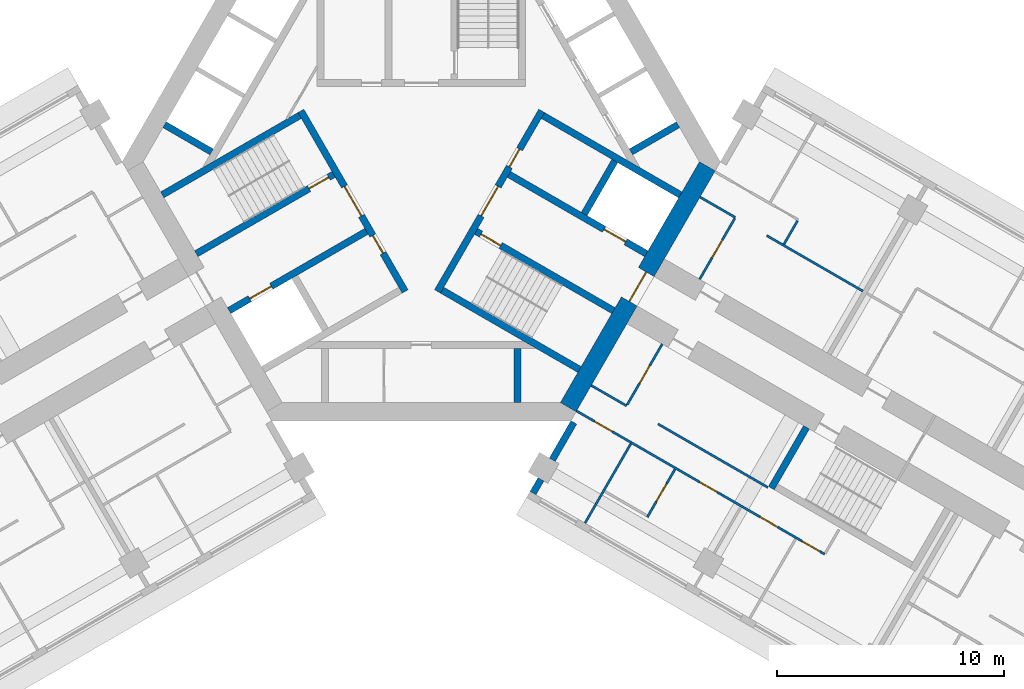
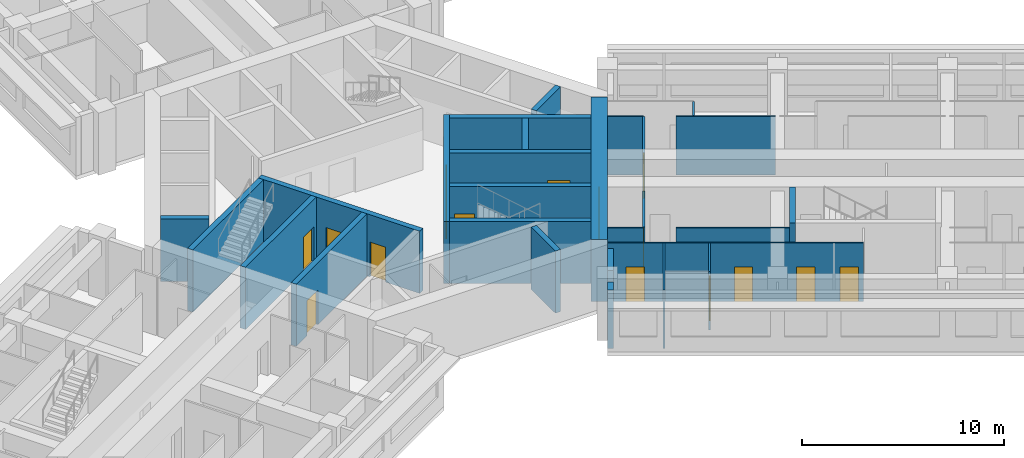
# One storey, part 7 of 14: 27 walls, 16 doors, 16 openings.
"""IFC4 building model written with IfcOpenShell, lengths in metres."""

from ifc_helpers import new_model, si_unit, direction, frame, frame_2d, origin, place, context, subcontext, project, spatial, rectangle, extrude, material, layer, layer_set, type_object, element, fill, save


model = new_model("IFC4")

# Units and contexts
model_context = context("Model", 3, precision=1e-05, world=origin(), true_north=direction((0.0, 1.0)))
body_context = subcontext(model_context, "Body", "Model", "MODEL_VIEW")
ifc_project = project(units=[si_unit("LENGTHUNIT", "METRE"), si_unit("AREAUNIT", "SQUARE_METRE"), si_unit("VOLUMEUNIT", "CUBIC_METRE"), si_unit("PLANEANGLEUNIT", "RADIAN"), si_unit("MASSUNIT", "GRAM", prefix="KILO")], contexts=[model_context])

# Site, building, storey
site_placement = place(None, origin())
site = spatial("IfcSite", under=ifc_project, at=site_placement, CompositionType="ELEMENT")
building_placement = place(site_placement, origin())
building = spatial("IfcBuilding", under=site, at=building_placement, Name="Impinga Residences", CompositionType="ELEMENT")
storey_placement = place(building_placement, frame((0.0, 0.0, 124.75)))
storey = spatial("IfcBuildingStorey", under=building, at=storey_placement, Name="L30", CompositionType="ELEMENT", Elevation=124.75)

# Walls
ifc_material_1 = material(Name="Terracotta rainscreen on blockwork", Category="masonry")
ifc_layer_1 = layer(ifc_material_1, 0.300048828125)
ifc_layer_set_1 = layer_set([ifc_layer_1], Name="EW1 external wall, terracotta rainscreen on blockwork 300")
wall_type_1 = type_object("IfcWallType", Name="EW1 external wall, terracotta rainscreen on blockwork 300", PredefinedType="SOLIDWALL", material=ifc_layer_set_1)
wall_1_placement = place(storey_placement, frame((4.929931640625, -14.624267578125, 0.0), z_axis=(0.0, 0.0, 1.0), x_axis=(0.499853302173, 0.866110083249, 0.0)))
element("IfcWall", 1, at=wall_1_placement, inside=storey, type_object=wall_type_1, Name="External wall EW1 L30", PredefinedType="SOLIDWALL", context=body_context, shape_type="SweptSolid", body=[
    extrude(rectangle(XDim=0.699951171875, YDim=0.300048828125, at=frame_2d((0.35009765625, 0.0))), origin(), (0.0, 0.0, 1.0), 3.530029296875),
])
wall_2_placement = place(storey_placement, frame((5.77978515625, -13.152099609375, 0.0), z_axis=(0.0, 0.0, 1.0), x_axis=(0.500063520245, 0.865988727248, 0.0)))
element("IfcWall", 2, at=wall_2_placement, inside=storey, type_object=wall_type_1, Name="External wall EW1 L30", PredefinedType="SOLIDWALL", context=body_context, shape_type="SweptSolid", body=[
    extrude(rectangle(XDim=1.900146484375, YDim=0.300048828125, at=frame_2d((0.9501953125, 0.0))), origin(), (0.0, 0.0, 1.0), 3.530029296875),
])
ifc_material_2 = material(Name="Gypsum board on steel studs", Category="steel")
ifc_layer_2 = layer(ifc_material_2, 0.10009765625)
ifc_layer_set_2 = layer_set([ifc_layer_2], Name="Gypsum board on steel studs")
wall_type_2 = type_object("IfcWallType", Name="IP1 partition 100", PredefinedType="PARTITIONING", material=ifc_layer_set_2)
wall_3_placement = place(storey_placement, frame((12.300048828125, -1.558837890625, 0.0), z_axis=(0.0, 0.0, 1.0), x_axis=(0.866047807691, -0.499961193289, 0.0)))
element("IfcWall", 3, at=wall_3_placement, inside=storey, type_object=wall_type_2, Name="Partition L30-EA1:DIV0", PredefinedType="PARTITIONING", context=body_context, shape_type="SweptSolid", body=[
    extrude(rectangle(XDim=1.800048828125, YDim=0.10009765625, at=frame_2d((0.89990234375, 0.0))), origin(), (0.0, 0.0, 1.0), 3.530029296875),
])
wall_4_placement = place(storey_placement, frame((15.244384765625, -3.2587890625, 0.0), z_axis=(0.0, 0.0, 1.0), x_axis=(0.866036242063, -0.49998122708, 0.0)))
element("IfcWall", 4, at=wall_4_placement, inside=storey, type_object=wall_type_2, Name="Partition L30-EA1:DIV1", PredefinedType="PARTITIONING", context=body_context, shape_type="SweptSolid", body=[
    extrude(rectangle(XDim=4.900146484375, YDim=0.10009765625, at=frame_2d((2.4501953125, 0.0))), origin(), (0.0, 0.0, 1.0), 3.530029296875),
])
wall_5_placement = place(storey_placement, frame((16.005615234375, -3.640625, 0.0), z_axis=(0.0, 0.0, 1.0), x_axis=(0.500033551112, 0.866006032174, 0.0)))
element("IfcWall", 5, at=wall_5_placement, inside=storey, type_object=wall_type_2, Name="Partition L30-EA1:SE1", PredefinedType="PARTITIONING", context=body_context, shape_type="SweptSolid", body=[
    extrude(rectangle(XDim=1.2001953125, YDim=0.10009765625, at=frame_2d((0.60009765625, 0.0))), origin(), (0.0, 0.0, 1.0), 3.530029296875),
])

# Wall, opening, door
wall_6_placement = place(storey_placement, frame((12.283935546875, -5.186767578125, 0.0), z_axis=(0.0, 0.0, 1.0), x_axis=(0.499967891604, 0.866043940782, 0.0)))
wall_6 = element("IfcWall", 6, at=wall_6_placement, inside=storey, type_object=wall_type_2, Name="Partition L30-EA1:IB1", PredefinedType="PARTITIONING", context=body_context, shape_type="SweptSolid", body=[
    extrude(rectangle(XDim=3.099853515625, YDim=0.10009765625, at=frame_2d((1.5498046875, 0.0))), origin(), (0.0, 0.0, 1.0), 3.530029296875),
])
opening_1_placement = place(wall_6_placement, frame((1.10009765625, 0.0, 0.0)))
opening_1 = element("IfcOpeningElement", 7, at=opening_1_placement, cuts=wall_6, Name="Opening D2", PredefinedType="OPENING", context=body_context, shape_type="SweptSolid", body=[
    extrude(rectangle(XDim=0.89990234375, YDim=2.10009765625, at=frame_2d((0.449951171875, 1.050048828125))), frame((0.0, 0.06005859375, 0.0), z_axis=(0.0, -1.0, 0.0), x_axis=(1.0, 0.0, 0.0)), (0.0, 0.0, 1.0), 0.1201171875),
])
ifc_material_3 = material(Name="Timber door set", Category="wood")
door_type_1 = type_object("IfcDoorType", Name="D2 internal door 900x2100", OperationType="SINGLE_SWING_LEFT", PredefinedType="DOOR", material=ifc_material_3)
door_1_placement = place(opening_1_placement, origin())
door_1 = element("IfcDoor", 8, at=door_1_placement, inside=storey, type_object=door_type_1, Name="Apartment L30-EA1 bathroom door", OperationType="SINGLE_SWING_LEFT", OverallHeight=2.10009765625, OverallWidth=0.89990234375, PredefinedType="DOOR", context=body_context, shape_type="SweptSolid", body=[
    extrude(rectangle(XDim=0.89990234375, YDim=2.10009765625, at=frame_2d((0.449951171875, 1.050048828125))), frame((0.0, 0.02490234375, 0.0), z_axis=(0.0, -1.0, 0.0), x_axis=(1.0, 0.0, 0.0)), (0.0, 0.0, 1.0), 0.050048828125),
])
fill(opening_1, door_1)

# Walls
wall_7_placement = place(storey_placement, frame((7.5, -9.872802734375, 0.0), z_axis=(0.0, 0.0, 1.0), x_axis=(0.866047807691, -0.499961193289, 0.0)))
element("IfcWall", 9, at=wall_7_placement, inside=storey, type_object=wall_type_2, Name="Partition L30-EF1:DIV0", PredefinedType="PARTITIONING", context=body_context, shape_type="SweptSolid", body=[
    extrude(rectangle(XDim=1.800048828125, YDim=0.10009765625, at=frame_2d((0.89990234375, 0.0))), origin(), (0.0, 0.0, 1.0), 3.530029296875),
])
wall_8_placement = place(storey_placement, frame((10.444580078125, -11.57275390625, 0.0), z_axis=(0.0, 0.0, 1.0), x_axis=(0.866015695474, -0.500016814911, 0.0)))
element("IfcWall", 10, at=wall_8_placement, inside=storey, type_object=wall_type_2, Name="Partition L30-EF1:DIV1", PredefinedType="PARTITIONING", context=body_context, shape_type="SweptSolid", body=[
    extrude(rectangle(XDim=5.599853515625, YDim=0.10009765625, at=frame_2d((2.7998046875, 0.0))), origin(), (0.0, 0.0, 1.0), 3.530029296875),
])

# Wall, openings, doors
wall_9_placement = place(storey_placement, frame((6.85009765625, -10.99853515625, 0.0), z_axis=(0.0, 0.0, 1.0), x_axis=(0.866024244478, -0.500002007972, 0.0)))
wall_9 = element("IfcWall", 11, at=wall_9_placement, inside=storey, type_object=wall_type_2, Name="Partition L30-EF1:STRIP", PredefinedType="PARTITIONING", context=body_context, shape_type="SweptSolid", body=[
    extrude(rectangle(XDim=12.64990234375, YDim=0.10009765625, at=frame_2d((6.324951171875, 0.0))), origin(), (0.0, 0.0, 1.0), 3.530029296875),
])
opening_2_placement = place(wall_9_placement, frame((0.925048828125, 0.0, 0.0)))
opening_2 = element("IfcOpeningElement", 12, at=opening_2_placement, cuts=wall_9, Name="Opening D2", PredefinedType="OPENING", context=body_context, shape_type="SweptSolid", body=[
    extrude(rectangle(XDim=0.89990234375, YDim=2.10009765625, at=frame_2d((0.449951171875, 1.050048828125))), frame((0.0, 0.06005859375, 0.0), z_axis=(0.0, -1.0, 0.0), x_axis=(1.0, 0.0, 0.0)), (0.0, 0.0, 1.0), 0.1201171875),
])
opening_3_placement = place(wall_9_placement, frame((6.27490234375, 0.0, 0.0)))
opening_3 = element("IfcOpeningElement", 13, at=opening_3_placement, cuts=wall_9, Name="Opening D2", PredefinedType="OPENING", context=body_context, shape_type="SweptSolid", body=[
    extrude(rectangle(XDim=0.89990234375, YDim=2.10009765625, at=frame_2d((0.449951171875, 1.050048828125))), frame((0.0, 0.06005859375, 0.0), z_axis=(0.0, -1.0, 0.0), x_axis=(1.0, 0.0, 0.0)), (0.0, 0.0, 1.0), 0.1201171875),
])
opening_4_placement = place(wall_9_placement, frame((9.35009765625, 0.0, 0.0)))
opening_4 = element("IfcOpeningElement", 14, at=opening_4_placement, cuts=wall_9, Name="Opening D2", PredefinedType="OPENING", context=body_context, shape_type="SweptSolid", body=[
    extrude(rectangle(XDim=0.89990234375, YDim=2.10009765625, at=frame_2d((0.449951171875, 1.050048828125))), frame((0.0, 0.06005859375, 0.0), z_axis=(0.0, -1.0, 0.0), x_axis=(1.0, 0.0, 0.0)), (0.0, 0.0, 1.0), 0.1201171875),
])
opening_5_placement = place(wall_9_placement, frame((11.5, 0.0, 0.0)))
opening_5 = element("IfcOpeningElement", 15, at=opening_5_placement, cuts=wall_9, Name="Opening D2", PredefinedType="OPENING", context=body_context, shape_type="SweptSolid", body=[
    extrude(rectangle(XDim=0.89990234375, YDim=2.10009765625, at=frame_2d((0.449951171875, 1.050048828125))), frame((0.0, 0.06005859375, 0.0), z_axis=(0.0, -1.0, 0.0), x_axis=(1.0, 0.0, 0.0)), (0.0, 0.0, 1.0), 0.1201171875),
])
door_2_placement = place(opening_2_placement, origin())
door_2 = element("IfcDoor", 16, at=door_2_placement, inside=storey, type_object=door_type_1, Name="Apartment L30-EF1 room door", OperationType="SINGLE_SWING_LEFT", OverallHeight=2.10009765625, OverallWidth=0.89990234375, PredefinedType="DOOR", context=body_context, shape_type="SweptSolid", body=[
    extrude(rectangle(XDim=0.89990234375, YDim=2.10009765625, at=frame_2d((0.449951171875, 1.050048828125))), frame((0.0, 0.02490234375, 0.0), z_axis=(0.0, -1.0, 0.0), x_axis=(1.0, 0.0, 0.0)), (0.0, 0.0, 1.0), 0.050048828125),
])
fill(opening_2, door_2)
door_3_placement = place(opening_3_placement, origin())
door_3 = element("IfcDoor", 17, at=door_3_placement, inside=storey, type_object=door_type_1, Name="Apartment L30-EF1 room door", OperationType="SINGLE_SWING_RIGHT", OverallHeight=2.10009765625, OverallWidth=0.89990234375, PredefinedType="DOOR", context=body_context, shape_type="SweptSolid", body=[
    extrude(rectangle(XDim=0.89990234375, YDim=2.10009765625, at=frame_2d((0.449951171875, 1.050048828125))), frame((0.0, 0.02490234375, 0.0), z_axis=(0.0, -1.0, 0.0), x_axis=(1.0, 0.0, 0.0)), (0.0, 0.0, 1.0), 0.050048828125),
])
fill(opening_3, door_3)
door_4_placement = place(opening_4_placement, origin())
door_4 = element("IfcDoor", 18, at=door_4_placement, inside=storey, type_object=door_type_1, Name="Apartment L30-EF1 room door", OperationType="SINGLE_SWING_RIGHT", OverallHeight=2.10009765625, OverallWidth=0.89990234375, PredefinedType="DOOR", context=body_context, shape_type="SweptSolid", body=[
    extrude(rectangle(XDim=0.89990234375, YDim=2.10009765625, at=frame_2d((0.449951171875, 1.050048828125))), frame((0.0, 0.02490234375, 0.0), z_axis=(0.0, -1.0, 0.0), x_axis=(1.0, 0.0, 0.0)), (0.0, 0.0, 1.0), 0.050048828125),
])
fill(opening_4, door_4)
door_5_placement = place(opening_5_placement, origin())
door_5 = element("IfcDoor", 19, at=door_5_placement, inside=storey, type_object=door_type_1, Name="Apartment L30-EF1 room door", OperationType="SINGLE_SWING_RIGHT", OverallHeight=2.10009765625, OverallWidth=0.89990234375, PredefinedType="DOOR", context=body_context, shape_type="SweptSolid", body=[
    extrude(rectangle(XDim=0.89990234375, YDim=2.10009765625, at=frame_2d((0.449951171875, 1.050048828125))), frame((0.0, 0.02490234375, 0.0), z_axis=(0.0, -1.0, 0.0), x_axis=(1.0, 0.0, 0.0)), (0.0, 0.0, 1.0), 0.050048828125),
])
fill(opening_5, door_5)

# Wall, opening, door
wall_10_placement = place(storey_placement, frame((10.6337890625, -8.044677734375, 0.0), z_axis=(0.0, 0.0, 1.0), x_axis=(-0.49999285859, -0.86602952684, 0.0)))
wall_10 = element("IfcWall", 20, at=wall_10_placement, inside=storey, type_object=wall_type_2, Name="Partition L30-EF1:IB1", PredefinedType="PARTITIONING", context=body_context, shape_type="SweptSolid", body=[
    extrude(rectangle(XDim=3.10009765625, YDim=0.10009765625, at=frame_2d((1.550048828125, 0.0))), origin(), (0.0, 0.0, 1.0), 3.530029296875),
])
opening_6_placement = place(wall_10_placement, frame((1.10009765625, 0.0, 0.0)))
opening_6 = element("IfcOpeningElement", 21, at=opening_6_placement, cuts=wall_10, Name="Opening D2", PredefinedType="OPENING", context=body_context, shape_type="SweptSolid", body=[
    extrude(rectangle(XDim=0.89990234375, YDim=2.10009765625, at=frame_2d((0.449951171875, 1.050048828125))), frame((0.0, 0.06005859375, 0.0), z_axis=(0.0, -1.0, 0.0), x_axis=(1.0, 0.0, 0.0)), (0.0, 0.0, 1.0), 0.1201171875),
])
door_6_placement = place(opening_6_placement, origin())
door_6 = element("IfcDoor", 22, at=door_6_placement, inside=storey, type_object=door_type_1, Name="Apartment L30-EF1 bathroom door", OperationType="SINGLE_SWING_LEFT", OverallHeight=2.10009765625, OverallWidth=0.89990234375, PredefinedType="DOOR", context=body_context, shape_type="SweptSolid", body=[
    extrude(rectangle(XDim=0.89990234375, YDim=2.10009765625, at=frame_2d((0.449951171875, 1.050048828125))), frame((0.0, 0.02490234375, 0.0), z_axis=(0.0, -1.0, 0.0), x_axis=(1.0, 0.0, 0.0)), (0.0, 0.0, 1.0), 0.050048828125),
])
fill(opening_6, door_6)

# Wall
wall_11_placement = place(storey_placement, frame((9.249755859375, -12.44189453125, 0.0), z_axis=(0.0, 0.0, 1.0), x_axis=(-0.499990325971, -0.866030989016, 0.0)))
element("IfcWall", 23, at=wall_11_placement, inside=storey, type_object=wall_type_2, Name="Partition L30-EF1:OB1", PredefinedType="PARTITIONING", context=body_context, shape_type="SweptSolid", body=[
    extrude(rectangle(XDim=4.0498046875, YDim=0.10009765625, at=frame_2d((2.02490234375, 0.0))), origin(), (0.0, 0.0, 1.0), 3.530029296875),
])

# Wall, opening, door
wall_12_placement = place(storey_placement, frame((11.198486328125, -13.56689453125, 0.0), z_axis=(0.0, 0.0, 1.0), x_axis=(-0.500061746146, -0.865989751695, 0.0)))
wall_12 = element("IfcWall", 24, at=wall_12_placement, inside=storey, type_object=wall_type_2, Name="Partition L30-EF1:EN1", PredefinedType="PARTITIONING", context=body_context, shape_type="SweptSolid", body=[
    extrude(rectangle(XDim=2.449951171875, YDim=0.10009765625, at=frame_2d((1.22509765625, 0.0))), origin(), (0.0, 0.0, 1.0), 3.530029296875),
])
opening_7_placement = place(wall_12_placement, frame((0.75, 0.0, 0.0)))
opening_7 = element("IfcOpeningElement", 25, at=opening_7_placement, cuts=wall_12, Name="Opening D2", PredefinedType="OPENING", context=body_context, shape_type="SweptSolid", body=[
    extrude(rectangle(XDim=0.89990234375, YDim=2.10009765625, at=frame_2d((0.449951171875, 1.050048828125))), frame((0.0, 0.06005859375, 0.0), z_axis=(0.0, -1.0, 0.0), x_axis=(1.0, 0.0, 0.0)), (0.0, 0.0, 1.0), 0.1201171875),
])
door_7_placement = place(opening_7_placement, origin())
door_7 = element("IfcDoor", 26, at=door_7_placement, inside=storey, type_object=door_type_1, Name="Apartment L30-EF1 en-suite door", OperationType="SINGLE_SWING_LEFT", OverallHeight=2.10009765625, OverallWidth=0.89990234375, PredefinedType="DOOR", context=body_context, shape_type="SweptSolid", body=[
    extrude(rectangle(XDim=0.89990234375, YDim=2.10009765625, at=frame_2d((0.449951171875, 1.050048828125))), frame((0.0, 0.02490234375, 0.0), z_axis=(0.0, -1.0, 0.0), x_axis=(1.0, 0.0, 0.0)), (0.0, 0.0, 1.0), 0.050048828125),
])
fill(opening_7, door_7)

# Wall
ifc_material_4 = material(Name="Concrete C60/75", Category="concrete")
ifc_layer_3 = layer(ifc_material_4, 0.300048828125)
ifc_layer_set_3 = layer_set([ifc_layer_3], Name="Concrete C60/75")
wall_type_3 = type_object("IfcWallType", Name="SE1 wing stair enclosure wall 300", PredefinedType="SOLIDWALL", material=ifc_layer_set_3)
wall_13_placement = place(storey_placement, frame((16.9990234375, -11.7197265625, 0.0), z_axis=(0.0, 0.0, 1.0), x_axis=(-0.499967891604, -0.866043940782, 0.0)))
element("IfcWall", 27, at=wall_13_placement, inside=storey, type_object=wall_type_3, Name="Stair enclosure wall SE1 E END0 L30", PredefinedType="SOLIDWALL", context=body_context, shape_type="SweptSolid", body=[
    extrude(rectangle(XDim=3.099853515625, YDim=0.300048828125, at=frame_2d((1.5498046875, 0.0))), origin(), (0.0, 0.0, 1.0), 3.75),
])

# Wall, opening, door
ifc_layer_4 = layer(ifc_material_4, 0.800048828125)
ifc_layer_set_4 = layer_set([ifc_layer_4], Name="Concrete C60/75")
wall_type_4 = type_object("IfcWallType", Name="SW2 core wall 800", PredefinedType="SHEAR", material=ifc_layer_set_4)
wall_14_placement = place(storey_placement, frame((12.62255859375, -0.199951171875, 0.0), z_axis=(0.0, 0.0, 1.0), x_axis=(-0.499986991068, -0.866032914365, 0.0)))
wall_14 = element("IfcWall", 28, at=wall_14_placement, inside=storey, type_object=wall_type_4, Name="Core wall SW2 E:FACE L30", PredefinedType="SHEAR", context=body_context, shape_type="SweptSolid", body=[
    extrude(rectangle(XDim=12.276123046875, YDim=0.800048828125, at=frame_2d((6.13818359375, 0.0))), origin(), (0.0, 0.0, 1.0), 3.75),
])
opening_8_placement = place(wall_14_placement, frame((5.38818359375, 0.0, 0.0)))
opening_8 = element("IfcOpeningElement", 29, at=opening_8_placement, cuts=wall_14, Name="Opening D4", PredefinedType="OPENING", context=body_context, shape_type="SweptSolid", body=[
    extrude(rectangle(XDim=1.5, YDim=2.10009765625, at=frame_2d((0.75, 1.050048828125))), frame((0.0, 0.409912109375, 0.0), z_axis=(0.0, -1.0, 0.0), x_axis=(1.0, 0.0, 0.0)), (0.0, 0.0, 1.0), 0.820068359375),
])
door_type_2 = type_object("IfcDoorType", Name="D4 lobby door pair 1500x2100", OperationType="DOUBLE_DOOR_DOUBLE_SWING", PredefinedType="DOOR", material=ifc_material_3)
door_8_placement = place(opening_8_placement, origin())
door_8 = element("IfcDoor", 30, at=door_8_placement, inside=storey, type_object=door_type_2, Name="Lobby door E", OperationType="DOUBLE_DOOR_DOUBLE_SWING", OverallHeight=2.10009765625, OverallWidth=1.5, PredefinedType="DOOR", context=body_context, shape_type="SweptSolid", body=[
    extrude(rectangle(XDim=1.5, YDim=2.10009765625, at=frame_2d((0.75, 1.050048828125))), frame((0.0, 0.02490234375, 0.0), z_axis=(0.0, -1.0, 0.0), x_axis=(1.0, 0.0, 0.0)), (0.0, 0.0, 1.0), 0.050048828125),
])
fill(opening_8, door_8)

# Wall, openings, doors
ifc_material_5 = material(Name="Concrete C70/85", Category="concrete")
ifc_layer_5 = layer(ifc_material_5, 0.300048828125)
ifc_layer_set_5 = layer_set([ifc_layer_5], Name="Concrete C70/85")
wall_type_5 = type_object("IfcWallType", Name="SW5 core inner wall, stairs, shafts and lobbies 300", PredefinedType="SHEAR", material=ifc_layer_set_5)
wall_15_placement = place(storey_placement, frame((-0.7138671875, -5.7236328125, 0.0), z_axis=(0.0, 0.0, 1.0), x_axis=(-0.499995050369, 0.866028261437, 0.0)))
wall_15 = element("IfcWall", 31, at=wall_15_placement, inside=storey, type_object=wall_type_5, Name="Core wall SW5 W:ZONE L30", PredefinedType="SHEAR", context=body_context, shape_type="SweptSolid", body=[
    extrude(rectangle(XDim=9.19970703125, YDim=0.300048828125, at=frame_2d((4.599853515625, 0.0))), origin(), (0.0, 0.0, 1.0), 3.75),
])
opening_9_placement = place(wall_15_placement, frame((3.85009765625, 0.0, 0.0)))
opening_9 = element("IfcOpeningElement", 32, at=opening_9_placement, cuts=wall_15, Name="Opening D4", PredefinedType="OPENING", context=body_context, shape_type="SweptSolid", body=[
    extrude(rectangle(XDim=1.5, YDim=2.10009765625, at=frame_2d((0.75, 1.050048828125))), frame((0.0, 0.159912109375, 0.0), z_axis=(0.0, -1.0, 0.0), x_axis=(1.0, 0.0, 0.0)), (0.0, 0.0, 1.0), 0.320068359375),
])
opening_10_placement = place(wall_15_placement, frame((1.949951171875, 0.0, 0.0)))
opening_10 = element("IfcOpeningElement", 33, at=opening_10_placement, cuts=wall_15, Name="Opening D6", PredefinedType="OPENING", context=body_context, shape_type="SweptSolid", body=[
    extrude(rectangle(XDim=0.89990234375, YDim=2.10009765625, at=frame_2d((0.449951171875, 1.050048828125))), frame((0.0, 0.159912109375, 0.0), z_axis=(0.0, -1.0, 0.0), x_axis=(1.0, 0.0, 0.0)), (0.0, 0.0, 1.0), 0.320068359375),
])
door_9_placement = place(opening_9_placement, origin())
door_9 = element("IfcDoor", 34, at=door_9_placement, inside=storey, type_object=door_type_2, Name="Firefighting lobby door W", OperationType="DOUBLE_DOOR_DOUBLE_SWING", OverallHeight=2.10009765625, OverallWidth=1.5, PredefinedType="DOOR", context=body_context, shape_type="SweptSolid", body=[
    extrude(rectangle(XDim=1.5, YDim=2.10009765625, at=frame_2d((0.75, 1.050048828125))), frame((0.0, 0.02490234375, 0.0), z_axis=(0.0, -1.0, 0.0), x_axis=(1.0, 0.0, 0.0)), (0.0, 0.0, 1.0), 0.050048828125),
])
fill(opening_9, door_9)
door_type_3 = type_object("IfcDoorType", Name="D6 riser and store door 900x2100", OperationType="SINGLE_SWING_LEFT", PredefinedType="DOOR", material=ifc_material_3)
door_10_placement = place(opening_10_placement, origin())
door_10 = element("IfcDoor", 35, at=door_10_placement, inside=storey, type_object=door_type_3, Name="Riser door W", OperationType="SINGLE_SWING_LEFT", OverallHeight=2.10009765625, OverallWidth=0.89990234375, PredefinedType="DOOR", context=body_context, shape_type="SweptSolid", body=[
    extrude(rectangle(XDim=0.89990234375, YDim=2.10009765625, at=frame_2d((0.449951171875, 1.050048828125))), frame((0.0, 0.02490234375, 0.0), z_axis=(0.0, -1.0, 0.0), x_axis=(1.0, 0.0, 0.0)), (0.0, 0.0, 1.0), 0.050048828125),
])
fill(opening_10, door_10)

# Wall, opening, door
wall_16_placement = place(storey_placement, frame((-3.86865234375, -0.559326171875, 0.0), z_axis=(0.0, 0.0, 1.0), x_axis=(-0.866026480128, -0.499998135713, 0.0)))
wall_16 = element("IfcWall", 36, at=wall_16_placement, inside=storey, type_object=wall_type_5, Name="Core wall SW5 W:ST-IN L30", PredefinedType="SHEAR", context=body_context, shape_type="SweptSolid", body=[
    extrude(rectangle(XDim=7.00146484375, YDim=0.300048828125, at=frame_2d((3.500732421875, 0.0))), origin(), (0.0, 0.0, 1.0), 3.75),
])
opening_11_placement = place(wall_16_placement, frame((0.25, 0.0, 0.0)))
opening_11 = element("IfcOpeningElement", 37, at=opening_11_placement, cuts=wall_16, Name="Opening D5", PredefinedType="OPENING", context=body_context, shape_type="SweptSolid", body=[
    extrude(rectangle(XDim=1.0, YDim=2.10009765625, at=frame_2d((0.5, 1.050048828125))), frame((0.0, 0.159912109375, 0.0), z_axis=(0.0, -1.0, 0.0), x_axis=(1.0, 0.0, 0.0)), (0.0, 0.0, 1.0), 0.320068359375),
])
door_type_4 = type_object("IfcDoorType", Name="D5 stair door 1000x2100", OperationType="SINGLE_SWING_LEFT", PredefinedType="DOOR", material=ifc_material_3)
door_11_placement = place(opening_11_placement, origin())
door_11 = element("IfcDoor", 38, at=door_11_placement, inside=storey, type_object=door_type_4, Name="Stair door W", OperationType="SINGLE_SWING_LEFT", OverallHeight=2.10009765625, OverallWidth=1.0, PredefinedType="DOOR", context=body_context, shape_type="SweptSolid", body=[
    extrude(rectangle(XDim=1.0, YDim=2.10009765625, at=frame_2d((0.5, 1.050048828125))), frame((0.0, 0.02490234375, 0.0), z_axis=(0.0, -1.0, 0.0), x_axis=(1.0, 0.0, 0.0)), (0.0, 0.0, 1.0), 0.050048828125),
])
fill(opening_11, door_11)

# Wall
wall_17_placement = place(storey_placement, frame((-5.36865234375, 2.038818359375, 0.0), z_axis=(0.0, 0.0, 1.0), x_axis=(-0.866026480128, -0.499998135713, 0.0)))
element("IfcWall", 39, at=wall_17_placement, inside=storey, type_object=wall_type_5, Name="Core wall SW5 W:ST-OUT L30", PredefinedType="SHEAR", context=body_context, shape_type="SweptSolid", body=[
    extrude(rectangle(XDim=7.00146484375, YDim=0.300048828125, at=frame_2d((3.500732421875, 0.0))), origin(), (0.0, 0.0, 1.0), 3.75),
])

# Wall, opening, door
wall_18_placement = place(storey_placement, frame((-2.418701171875, -3.07080078125, 0.0), z_axis=(0.0, 0.0, 1.0), x_axis=(-0.866026480128, -0.499998135713, 0.0)))
wall_18 = element("IfcWall", 40, at=wall_18_placement, inside=storey, type_object=wall_type_5, Name="Core wall SW5 W:FF-IN L30", PredefinedType="SHEAR", context=body_context, shape_type="SweptSolid", body=[
    extrude(rectangle(XDim=7.00146484375, YDim=0.300048828125, at=frame_2d((3.500732421875, 0.0))), origin(), (0.0, 0.0, 1.0), 3.75),
])
opening_12_placement = place(wall_18_placement, frame((4.85009765625, 0.0, 0.0)))
opening_12 = element("IfcOpeningElement", 41, at=opening_12_placement, cuts=wall_18, Name="Opening LD2", PredefinedType="OPENING", context=body_context, shape_type="SweptSolid", body=[
    extrude(rectangle(XDim=1.10009765625, YDim=2.10009765625, at=frame_2d((0.550048828125, 1.050048828125))), frame((0.0, 0.159912109375, 0.0), z_axis=(0.0, -1.0, 0.0), x_axis=(1.0, 0.0, 0.0)), (0.0, 0.0, 1.0), 0.320068359375),
])
ifc_material_6 = material(Name="Steel lift landing door", Category="steel")
door_type_5 = type_object("IfcDoorType", Name="LD2 firefighting lift landing door 1100x2100", OperationType="DOUBLE_DOOR_SLIDING", PredefinedType="DOOR", material=ifc_material_6)
door_12_placement = place(opening_12_placement, origin())
door_12 = element("IfcDoor", 42, at=door_12_placement, inside=storey, type_object=door_type_5, Name="Firefighting lift landing door F2", OperationType="DOUBLE_DOOR_SLIDING", OverallHeight=2.10009765625, OverallWidth=1.10009765625, PredefinedType="DOOR", context=body_context, shape_type="SweptSolid", body=[
    extrude(rectangle(XDim=1.10009765625, YDim=2.10009765625, at=frame_2d((0.550048828125, 1.050048828125))), frame((0.0, 0.02490234375, 0.0), z_axis=(0.0, -1.0, 0.0), x_axis=(1.0, 0.0, 0.0)), (0.0, 0.0, 1.0), 0.050048828125),
])
fill(opening_12, door_12)

# Wall, openings, doors
wall_19_placement = place(storey_placement, frame((5.313720703125, 2.24365234375, 0.0), z_axis=(0.0, 0.0, 1.0), x_axis=(-0.499995050369, -0.866028261437, 0.0)))
wall_19 = element("IfcWall", 43, at=wall_19_placement, inside=storey, type_object=wall_type_5, Name="Core wall SW5 E:ZONE L30", PredefinedType="SHEAR", context=body_context, shape_type="SweptSolid", body=[
    extrude(rectangle(XDim=9.19970703125, YDim=0.300048828125, at=frame_2d((4.599853515625, 0.0))), origin(), (0.0, 0.0, 1.0), 3.75),
])
opening_13_placement = place(wall_19_placement, frame((3.85009765625, 0.0, 0.0)))
opening_13 = element("IfcOpeningElement", 44, at=opening_13_placement, cuts=wall_19, Name="Opening D4", PredefinedType="OPENING", context=body_context, shape_type="SweptSolid", body=[
    extrude(rectangle(XDim=1.5, YDim=2.10009765625, at=frame_2d((0.75, 1.050048828125))), frame((0.0, 0.159912109375, 0.0), z_axis=(0.0, -1.0, 0.0), x_axis=(1.0, 0.0, 0.0)), (0.0, 0.0, 1.0), 0.320068359375),
])
opening_14_placement = place(wall_19_placement, frame((1.949951171875, 0.0, 0.0)))
opening_14 = element("IfcOpeningElement", 45, at=opening_14_placement, cuts=wall_19, Name="Opening D6", PredefinedType="OPENING", context=body_context, shape_type="SweptSolid", body=[
    extrude(rectangle(XDim=0.89990234375, YDim=2.10009765625, at=frame_2d((0.449951171875, 1.050048828125))), frame((0.0, 0.159912109375, 0.0), z_axis=(0.0, -1.0, 0.0), x_axis=(1.0, 0.0, 0.0)), (0.0, 0.0, 1.0), 0.320068359375),
])
door_13_placement = place(opening_13_placement, origin())
door_13 = element("IfcDoor", 46, at=door_13_placement, inside=storey, type_object=door_type_2, Name="Firefighting lobby door E", OperationType="DOUBLE_DOOR_DOUBLE_SWING", OverallHeight=2.10009765625, OverallWidth=1.5, PredefinedType="DOOR", context=body_context, shape_type="SweptSolid", body=[
    extrude(rectangle(XDim=1.5, YDim=2.10009765625, at=frame_2d((0.75, 1.050048828125))), frame((0.0, 0.02490234375, 0.0), z_axis=(0.0, -1.0, 0.0), x_axis=(1.0, 0.0, 0.0)), (0.0, 0.0, 1.0), 0.050048828125),
])
fill(opening_13, door_13)
door_14_placement = place(opening_14_placement, origin())
door_14 = element("IfcDoor", 47, at=door_14_placement, inside=storey, type_object=door_type_3, Name="Riser door E", OperationType="SINGLE_SWING_LEFT", OverallHeight=2.10009765625, OverallWidth=0.89990234375, PredefinedType="DOOR", context=body_context, shape_type="SweptSolid", body=[
    extrude(rectangle(XDim=0.89990234375, YDim=2.10009765625, at=frame_2d((0.449951171875, 1.050048828125))), frame((0.0, 0.02490234375, 0.0), z_axis=(0.0, -1.0, 0.0), x_axis=(1.0, 0.0, 0.0)), (0.0, 0.0, 1.0), 0.050048828125),
])
fill(opening_14, door_14)

# Wall, opening, door
wall_20_placement = place(storey_placement, frame((2.418701171875, -3.07080078125, 0.0), z_axis=(0.0, 0.0, 1.0), x_axis=(0.866026480128, -0.499998135713, 0.0)))
wall_20 = element("IfcWall", 48, at=wall_20_placement, inside=storey, type_object=wall_type_5, Name="Core wall SW5 E:ST-IN L30", PredefinedType="SHEAR", context=body_context, shape_type="SweptSolid", body=[
    extrude(rectangle(XDim=7.00146484375, YDim=0.300048828125, at=frame_2d((3.500732421875, 0.0))), origin(), (0.0, 0.0, 1.0), 3.75),
])
opening_15_placement = place(wall_20_placement, frame((0.25, 0.0, 0.0)))
opening_15 = element("IfcOpeningElement", 49, at=opening_15_placement, cuts=wall_20, Name="Opening D5", PredefinedType="OPENING", context=body_context, shape_type="SweptSolid", body=[
    extrude(rectangle(XDim=1.0, YDim=2.10009765625, at=frame_2d((0.5, 1.050048828125))), frame((0.0, 0.159912109375, 0.0), z_axis=(0.0, -1.0, 0.0), x_axis=(1.0, 0.0, 0.0)), (0.0, 0.0, 1.0), 0.320068359375),
])
door_15_placement = place(opening_15_placement, origin())
door_15 = element("IfcDoor", 50, at=door_15_placement, inside=storey, type_object=door_type_4, Name="Stair door E", OperationType="SINGLE_SWING_LEFT", OverallHeight=2.10009765625, OverallWidth=1.0, PredefinedType="DOOR", context=body_context, shape_type="SweptSolid", body=[
    extrude(rectangle(XDim=1.0, YDim=2.10009765625, at=frame_2d((0.5, 1.050048828125))), frame((0.0, 0.02490234375, 0.0), z_axis=(0.0, -1.0, 0.0), x_axis=(1.0, 0.0, 0.0)), (0.0, 0.0, 1.0), 0.050048828125),
])
fill(opening_15, door_15)

# Wall
wall_21_placement = place(storey_placement, frame((0.918701171875, -5.668701171875, 0.0), z_axis=(0.0, 0.0, 1.0), x_axis=(0.866011380966, -0.500024287448, 0.0)))
element("IfcWall", 51, at=wall_21_placement, inside=storey, type_object=wall_type_5, Name="Core wall SW5 E:ST-OUT L30", PredefinedType="SHEAR", context=body_context, shape_type="SweptSolid", body=[
    extrude(rectangle(XDim=7.001708984375, YDim=0.300048828125, at=frame_2d((3.5009765625, 0.0))), origin(), (0.0, 0.0, 1.0), 3.75),
])

# Wall, opening, door
wall_22_placement = place(storey_placement, frame((3.86865234375, -0.559326171875, 0.0), z_axis=(0.0, 0.0, 1.0), x_axis=(0.866026480128, -0.499998135713, 0.0)))
wall_22 = element("IfcWall", 52, at=wall_22_placement, inside=storey, type_object=wall_type_5, Name="Core wall SW5 E:FF-IN L30", PredefinedType="SHEAR", context=body_context, shape_type="SweptSolid", body=[
    extrude(rectangle(XDim=7.00146484375, YDim=0.300048828125, at=frame_2d((3.500732421875, 0.0))), origin(), (0.0, 0.0, 1.0), 3.75),
])
opening_16_placement = place(wall_22_placement, frame((4.85009765625, 0.0, 0.0)))
opening_16 = element("IfcOpeningElement", 53, at=opening_16_placement, cuts=wall_22, Name="Opening LD2", PredefinedType="OPENING", context=body_context, shape_type="SweptSolid", body=[
    extrude(rectangle(XDim=1.10009765625, YDim=2.10009765625, at=frame_2d((0.550048828125, 1.050048828125))), frame((0.0, 0.159912109375, 0.0), z_axis=(0.0, -1.0, 0.0), x_axis=(1.0, 0.0, 0.0)), (0.0, 0.0, 1.0), 0.320068359375),
])
door_16_placement = place(opening_16_placement, origin())
door_16 = element("IfcDoor", 54, at=door_16_placement, inside=storey, type_object=door_type_5, Name="Firefighting lift landing door F3", OperationType="DOUBLE_DOOR_SLIDING", OverallHeight=2.10009765625, OverallWidth=1.10009765625, PredefinedType="DOOR", context=body_context, shape_type="SweptSolid", body=[
    extrude(rectangle(XDim=1.10009765625, YDim=2.10009765625, at=frame_2d((0.550048828125, 1.050048828125))), frame((0.0, 0.02490234375, 0.0), z_axis=(0.0, -1.0, 0.0), x_axis=(1.0, 0.0, 0.0)), (0.0, 0.0, 1.0), 0.050048828125),
])
fill(opening_16, door_16)

# Walls
wall_23_placement = place(storey_placement, frame((5.36865234375, 2.038818359375, 0.0), z_axis=(0.0, 0.0, 1.0), x_axis=(0.866026480128, -0.499998135713, 0.0)))
element("IfcWall", 55, at=wall_23_placement, inside=storey, type_object=wall_type_5, Name="Core wall SW5 E:FF-OUT L30", PredefinedType="SHEAR", context=body_context, shape_type="SweptSolid", body=[
    extrude(rectangle(XDim=7.00146484375, YDim=0.300048828125, at=frame_2d((3.500732421875, 0.0))), origin(), (0.0, 0.0, 1.0), 3.75),
])
wall_24_placement = place(storey_placement, frame((8.541259765625, 0.033935546875, 0.0), z_axis=(0.0, 0.0, 1.0), x_axis=(-0.50000943426, -0.866019956843, 0.0)))
element("IfcWall", 56, at=wall_24_placement, inside=storey, type_object=wall_type_5, Name="Core wall SW5 E:FF-RS L30", PredefinedType="SHEAR", context=body_context, shape_type="SweptSolid", body=[
    extrude(rectangle(XDim=2.7001953125, YDim=0.300048828125, at=frame_2d((1.35009765625, 0.0))), origin(), (0.0, 0.0, 1.0), 3.75),
])
for number, where, z_axis, x_axis, name in (
    (57, (4.25, -8.2314453125, 0.0), (0.0, 0.0, 1.0), (0.0, -1.0, 0.0), "Core wall SW5 N:BANK-L L30"),
    (58, (9.253662109375, 0.43505859375, 0.0), (0.0, 0.0, 1.0), (0.866006032174, 0.500033551112, 0.0), "Core wall SW5 W:BANK-R L30"),
    (59, (-9.253662109375, 0.43505859375, 0.0), (0.0, 0.0, 1.0), (-0.866006032174, 0.500033551112, 0.0), "Core wall SW5 E:BANK-L L30"),
):
    element("IfcWall", number, at=place(storey_placement, frame(where, z_axis=z_axis, x_axis=x_axis)), inside=storey, type_object=wall_type_5, Name=name, PredefinedType="SHEAR", context=body_context, shape_type="SweptSolid", body=[
        extrude(rectangle(XDim=2.400146484375, YDim=0.300048828125, at=frame_2d((1.2001953125, 0.0))), origin(), (0.0, 0.0, 1.0), 3.75),
    ])

save(model, "model.ifc")
